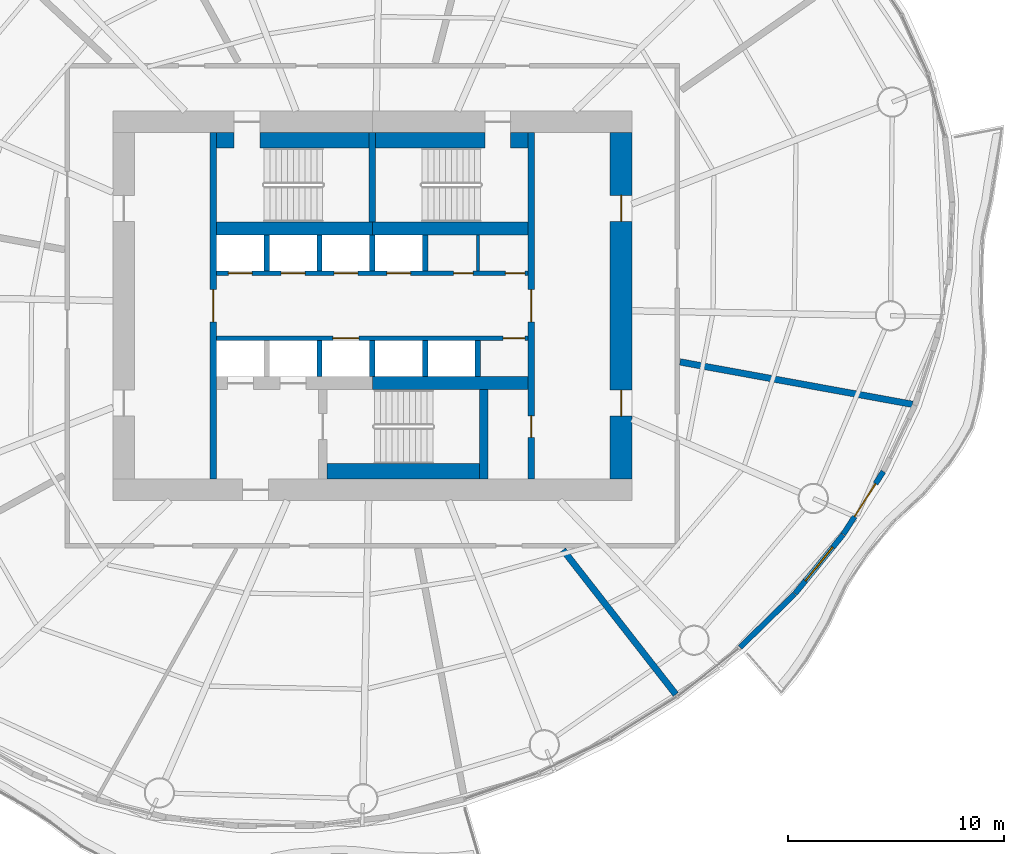
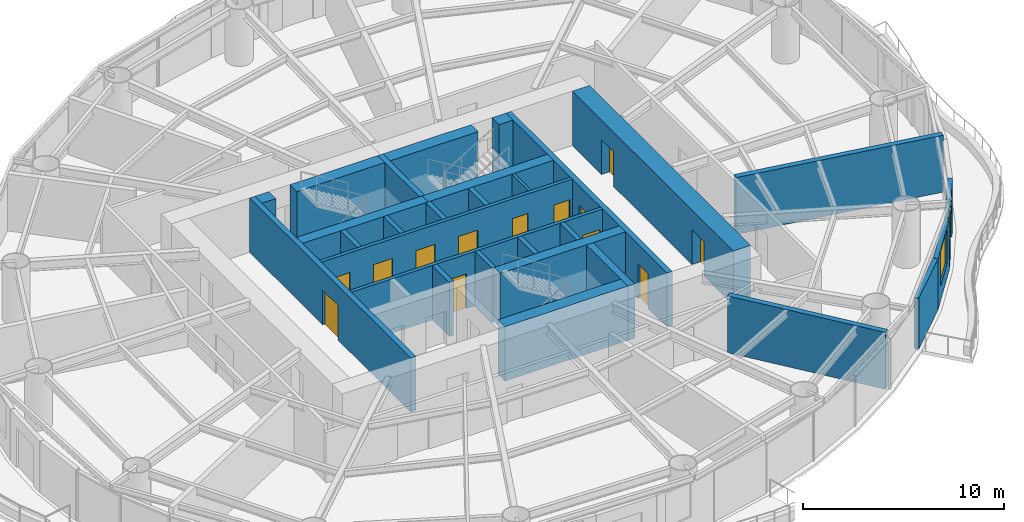
# One storey, part 9 of 14: 29 walls, 14 doors, 1 window, 15 openings.
"""IFC4 building model written with IfcOpenShell, lengths in metres."""

from ifc_helpers import new_model, si_unit, direction, frame, frame_2d, origin, place, context, subcontext, project, spatial, rectangle, extrude, material, layer, layer_set, type_object, element, fill, save


model = new_model("IFC4")

# Units and contexts
model_context = context("Model", 3, precision=1e-05, world=origin(), true_north=direction((0.0, 1.0)))
body_context = subcontext(model_context, "Body", "Model", "MODEL_VIEW")
ifc_project = project(units=[si_unit("LENGTHUNIT", "METRE"), si_unit("AREAUNIT", "SQUARE_METRE"), si_unit("VOLUMEUNIT", "CUBIC_METRE"), si_unit("PLANEANGLEUNIT", "RADIAN"), si_unit("MASSUNIT", "GRAM", prefix="KILO")], contexts=[model_context])

# Site, building, storey
site_placement = place(None, origin())
site = spatial("IfcSite", under=ifc_project, at=site_placement, CompositionType="ELEMENT")
building_placement = place(site_placement, origin())
building = spatial("IfcBuilding", under=site, at=building_placement, Name="Vermilion Reach Broadcast Tower", CompositionType="ELEMENT")
storey_placement = place(building_placement, frame((0.0, 0.0, 150.60009765625)))
storey = spatial("IfcBuildingStorey", under=building, at=storey_placement, Name="L35", CompositionType="ELEMENT", Elevation=150.60009765625)

# Wall, opening, door
ifc_material_1 = material(Name="Concrete C70", Category="concrete")
ifc_layer_1 = layer(ifc_material_1, 0.300048828125)
ifc_layer_set_1 = layer_set([ifc_layer_1], Name="Core inner wall 300 mm Concrete C70")
wall_type_1 = type_object("IfcWallType", Name="Core inner wall 300 mm Concrete C70", PredefinedType="SHEAR", material=ifc_layer_set_1)
wall_1_placement = place(storey_placement, frame((-13.35009765625, 8.0, 0.0), z_axis=(0.0, 0.0, 1.0), x_axis=(0.0, -1.0, 0.0)))
wall_1 = element("IfcWall", 1, at=wall_1_placement, inside=storey, type_object=wall_type_1, Name="L35 core wall ewW", PredefinedType="SHEAR", context=body_context, shape_type="SweptSolid", body=[
    extrude(rectangle(XDim=16.0, YDim=0.300048828125, at=frame_2d((8.0, 0.0))), origin(), (0.0, 0.0, 1.0), 3.2998046875),
])
opening_1_placement = place(wall_1_placement, frame((7.25, 0.0, 0.0)))
opening_1 = element("IfcOpeningElement", 2, at=opening_1_placement, cuts=wall_1, Name="Opening D04", PredefinedType="OPENING", context=body_context, shape_type="SweptSolid", body=[
    extrude(rectangle(XDim=1.5, YDim=2.10009765625, at=frame_2d((0.75, 1.050048828125))), frame((0.0, 0.159912109375, 0.0), z_axis=(0.0, -1.0, 0.0), x_axis=(1.0, 0.0, 0.0)), (0.0, 0.0, 1.0), 0.320068359375),
])
ifc_material_2 = material(Name="Painted steel fire door", Category="steel")
door_type_1 = type_object("IfcDoorType", Name="Lift lobby door 1500 x 2100", OperationType="DOUBLE_DOOR_SINGLE_SWING", PredefinedType="NOTDEFINED", material=ifc_material_2)
door_1_placement = place(opening_1_placement, origin())
door_1 = element("IfcDoor", 3, at=door_1_placement, inside=storey, type_object=door_type_1, Name="L35 band door BW", OperationType="DOUBLE_DOOR_SINGLE_SWING", OverallHeight=2.10009765625, OverallWidth=1.5, PredefinedType="NOTDEFINED", context=body_context, shape_type="SweptSolid", body=[
    extrude(rectangle(XDim=1.5, YDim=2.10009765625, at=frame_2d((0.75, 1.050048828125))), frame((0.0, 0.02490234375, 0.0), z_axis=(0.0, -1.0, 0.0), x_axis=(1.0, 0.0, 0.0)), (0.0, 0.0, 1.0), 0.050048828125),
])
fill(opening_1, door_1)

# Wall, openings, doors
wall_2_placement = place(storey_placement, frame((1.35009765625, -8.0, 0.0), z_axis=(0.0, 0.0, 1.0), x_axis=(0.0, 1.0, 0.0)))
wall_2 = element("IfcWall", 4, at=wall_2_placement, inside=storey, type_object=wall_type_1, Name="L35 core wall ewE", PredefinedType="SHEAR", context=body_context, shape_type="SweptSolid", body=[
    extrude(rectangle(XDim=16.0, YDim=0.300048828125, at=frame_2d((8.0, 0.0))), origin(), (0.0, 0.0, 1.0), 3.2998046875),
])
opening_2_placement = place(wall_2_placement, frame((1.909912109375, 0.0, 0.0)))
opening_2 = element("IfcOpeningElement", 5, at=opening_2_placement, cuts=wall_2, Name="Opening D05", PredefinedType="OPENING", context=body_context, shape_type="SweptSolid", body=[
    extrude(rectangle(XDim=1.0, YDim=2.10009765625, at=frame_2d((0.5, 1.050048828125))), frame((0.0, 0.159912109375, 0.0), z_axis=(0.0, -1.0, 0.0), x_axis=(1.0, 0.0, 0.0)), (0.0, 0.0, 1.0), 0.320068359375),
])
opening_3_placement = place(wall_2_placement, frame((7.25, 0.0, 0.0)))
opening_3 = element("IfcOpeningElement", 6, at=opening_3_placement, cuts=wall_2, Name="Opening D04", PredefinedType="OPENING", context=body_context, shape_type="SweptSolid", body=[
    extrude(rectangle(XDim=1.5, YDim=2.10009765625, at=frame_2d((0.75, 1.050048828125))), frame((0.0, 0.159912109375, 0.0), z_axis=(0.0, -1.0, 0.0), x_axis=(1.0, 0.0, 0.0)), (0.0, 0.0, 1.0), 0.320068359375),
])
door_2_placement = place(opening_3_placement, origin())
door_2 = element("IfcDoor", 7, at=door_2_placement, inside=storey, type_object=door_type_1, Name="L35 band door BE", OperationType="DOUBLE_DOOR_SINGLE_SWING", OverallHeight=2.10009765625, OverallWidth=1.5, PredefinedType="NOTDEFINED", context=body_context, shape_type="SweptSolid", body=[
    extrude(rectangle(XDim=1.5, YDim=2.10009765625, at=frame_2d((0.75, 1.050048828125))), frame((0.0, 0.02490234375, 0.0), z_axis=(0.0, -1.0, 0.0), x_axis=(1.0, 0.0, 0.0)), (0.0, 0.0, 1.0), 0.050048828125),
])
fill(opening_3, door_2)
ifc_material_3 = material(Name="Timber door", Category="wood")
door_type_2 = type_object("IfcDoorType", Name="Room door 1000 x 2100", OperationType="NOTDEFINED", PredefinedType="NOTDEFINED", material=ifc_material_3)
door_3_placement = place(opening_2_placement, origin())
door_3 = element("IfcDoor", 8, at=door_3_placement, inside=storey, type_object=door_type_2, Name="L35 door SER", OperationType="SINGLE_SWING_LEFT", OverallHeight=2.10009765625, OverallWidth=1.0, PredefinedType="NOTDEFINED", context=body_context, shape_type="SweptSolid", body=[
    extrude(rectangle(XDim=1.0, YDim=2.10009765625, at=frame_2d((0.5, 1.050048828125))), frame((0.0, 0.02490234375, 0.0), z_axis=(0.0, -1.0, 0.0), x_axis=(1.0, 0.0, 0.0)), (0.0, 0.0, 1.0), 0.050048828125),
])
fill(opening_2, door_3)

# Walls
wall_3_placement = place(storey_placement, frame((-6.0, 3.8798828125, 0.0), z_axis=(0.0, 0.0, 1.0), x_axis=(0.0, 1.0, 0.0)))
element("IfcWall", 9, at=wall_3_placement, inside=storey, type_object=wall_type_1, Name="L35 core wall wc", PredefinedType="SHEAR", context=body_context, shape_type="SweptSolid", body=[
    extrude(rectangle(XDim=4.1201171875, YDim=0.300048828125, at=frame_2d((2.06005859375, 0.0))), origin(), (0.0, 0.0, 1.0), 3.2998046875),
])
ifc_material_4 = material(Name="Concrete C70", Category="concrete")
ifc_layer_2 = layer(ifc_material_4, 0.39990234375)
ifc_layer_set_2 = layer_set([ifc_layer_2], Name="Core inner wall 400 mm Concrete C70")
wall_type_2 = type_object("IfcWallType", Name="Core inner wall 400 mm Concrete C70", PredefinedType="SHEAR", material=ifc_layer_set_2)
wall_4_placement = place(storey_placement, frame((-0.85009765625, -3.8798828125, 0.0), z_axis=(0.0, 0.0, 1.0), x_axis=(0.0, -1.0, 0.0)))
element("IfcWall", 10, at=wall_4_placement, inside=storey, type_object=wall_type_2, Name="L35 core wall wb", PredefinedType="SHEAR", context=body_context, shape_type="SweptSolid", body=[
    extrude(rectangle(XDim=4.1201171875, YDim=0.39990234375, at=frame_2d((2.06005859375, 0.0))), origin(), (0.0, 0.0, 1.0), 3.2998046875),
])
ifc_material_5 = material(Name="Concrete C70", Category="concrete")
ifc_layer_3 = layer(ifc_material_5, 0.60009765625)
ifc_layer_set_3 = layer_set([ifc_layer_3], Name="Core inner wall 600 mm Concrete C70")
wall_type_3 = type_object("IfcWallType", Name="Core inner wall 600 mm Concrete C70", PredefinedType="SHEAR", material=ifc_layer_set_3)
for number, where, z_axis, x_axis, name in (
    (11, (-13.199951171875, 3.580078125, 0.0), (0.0, 0.0, 1.0), (1.0, 0.0, 0.0), "L35 core wall winW"),
    (12, (-6.0, 3.580078125, 0.0), (0.0, 0.0, 1.0), (1.0, 0.0, 0.0), "L35 core wall winE"),
    (13, (-6.0, -3.580078125, 0.0), (0.0, 0.0, 1.0), (1.0, 0.0, 0.0), "L35 core wall wisE"),
):
    element("IfcWall", number, at=place(storey_placement, frame(where, z_axis=z_axis, x_axis=x_axis)), inside=storey, type_object=wall_type_3, Name=name, PredefinedType="SHEAR", context=body_context, shape_type="SweptSolid", body=[
        extrude(rectangle(XDim=7.199951171875, YDim=0.60009765625, at=frame_2d((3.60009765625, 0.0))), origin(), (0.0, 0.0, 1.0), 3.2998046875),
    ])

# Wall, openings, doors
ifc_material_6 = material(Name="Concrete C70", Category="concrete")
ifc_layer_4 = layer(ifc_material_6, 1.0)
ifc_layer_set_4 = layer_set([ifc_layer_4], Name="Core outer wall 1000 mm Concrete C70")
wall_type_4 = type_object("IfcWallType", Name="Core outer wall 1000 mm Concrete C70", PredefinedType="SHEAR", material=ifc_layer_set_4)
wall_5_placement = place(storey_placement, frame((5.5, -8.0, 0.0), z_axis=(0.0, 0.0, 1.0), x_axis=(0.0, 1.0, 0.0)))
wall_5 = element("IfcWall", 14, at=wall_5_placement, inside=storey, type_object=wall_type_4, Name="L35 core wall oe", PredefinedType="SHEAR", context=body_context, shape_type="SweptSolid", body=[
    extrude(rectangle(XDim=16.0, YDim=1.0, at=frame_2d((8.0, 0.0))), origin(), (0.0, 0.0, 1.0), 3.2998046875),
])
opening_4_placement = place(wall_5_placement, frame((2.89990234375, 0.0, 0.0)))
opening_4 = element("IfcOpeningElement", 15, at=opening_4_placement, cuts=wall_5, Name="Opening D03", PredefinedType="OPENING", context=body_context, shape_type="SweptSolid", body=[
    extrude(rectangle(XDim=1.199951171875, YDim=2.10009765625, at=frame_2d((0.60009765625, 1.050048828125))), frame((0.0, 0.510009765625, 0.0), z_axis=(0.0, -1.0, 0.0), x_axis=(1.0, 0.0, 0.0)), (0.0, 0.0, 1.0), 1.02001953125),
])
opening_5_placement = place(wall_5_placement, frame((11.89990234375, 0.0, 0.0)))
opening_5 = element("IfcOpeningElement", 16, at=opening_5_placement, cuts=wall_5, Name="Opening D03", PredefinedType="OPENING", context=body_context, shape_type="SweptSolid", body=[
    extrude(rectangle(XDim=1.199951171875, YDim=2.10009765625, at=frame_2d((0.60009765625, 1.050048828125))), frame((0.0, 0.510009765625, 0.0), z_axis=(0.0, -1.0, 0.0), x_axis=(1.0, 0.0, 0.0)), (0.0, 0.0, 1.0), 1.02001953125),
])
ifc_material_7 = material(Name="Painted steel fire door", Category="steel")
door_type_3 = type_object("IfcDoorType", Name="Core lobby door 1200 x 2100", OperationType="DOUBLE_DOOR_SINGLE_SWING", PredefinedType="NOTDEFINED", material=ifc_material_7)
door_4_placement = place(opening_4_placement, origin())
door_4 = element("IfcDoor", 17, at=door_4_placement, inside=storey, type_object=door_type_3, Name="L35 slot door E0", OperationType="DOUBLE_DOOR_SINGLE_SWING", OverallHeight=2.10009765625, OverallWidth=1.199951171875, PredefinedType="NOTDEFINED", context=body_context, shape_type="SweptSolid", body=[
    extrude(rectangle(XDim=1.199951171875, YDim=2.10009765625, at=frame_2d((0.60009765625, 1.050048828125))), frame((0.0, 0.02490234375, 0.0), z_axis=(0.0, -1.0, 0.0), x_axis=(1.0, 0.0, 0.0)), (0.0, 0.0, 1.0), 0.050048828125),
])
fill(opening_4, door_4)
door_5_placement = place(opening_5_placement, origin())
door_5 = element("IfcDoor", 18, at=door_5_placement, inside=storey, type_object=door_type_3, Name="L35 slot door E1", OperationType="DOUBLE_DOOR_SINGLE_SWING", OverallHeight=2.10009765625, OverallWidth=1.199951171875, PredefinedType="NOTDEFINED", context=body_context, shape_type="SweptSolid", body=[
    extrude(rectangle(XDim=1.199951171875, YDim=2.10009765625, at=frame_2d((0.60009765625, 1.050048828125))), frame((0.0, 0.02490234375, 0.0), z_axis=(0.0, -1.0, 0.0), x_axis=(1.0, 0.0, 0.0)), (0.0, 0.0, 1.0), 0.050048828125),
])
fill(opening_5, door_5)

# Wall
ifc_material_8 = material(Name="Masonry block", Category="masonry")
ifc_layer_5 = layer(ifc_material_8, 0.14990234375)
ifc_layer_set_5 = layer_set([ifc_layer_5], Name="Core partition wall 150 mm Masonry block")
wall_type_5 = type_object("IfcWallType", Name="Core partition wall 150 mm Masonry block", PredefinedType="PARTITIONING", material=ifc_layer_set_5)
wall_6_placement = place(storey_placement, frame((-1.11669921875, 1.60009765625, 0.0), z_axis=(0.0, 0.0, 1.0), x_axis=(0.0, 1.0, 0.0)))
element("IfcWall", 19, at=wall_6_placement, inside=storey, type_object=wall_type_5, Name="L35 core wall prN4883", PredefinedType="PARTITIONING", context=body_context, shape_type="SweptSolid", body=[
    extrude(rectangle(XDim=1.679931640625, YDim=0.14990234375, at=frame_2d((0.83984375, 0.0))), origin(), (0.0, 0.0, 1.0), 3.2998046875),
])

# Wall, openings, doors
ifc_material_9 = material(Name="Concrete C50", Category="concrete")
ifc_layer_6 = layer(ifc_material_9, 0.199951171875)
ifc_layer_set_6 = layer_set([ifc_layer_6], Name="Core shaft wall 200 mm Concrete C50")
wall_type_6 = type_object("IfcWallType", Name="Core shaft wall 200 mm Concrete C50", PredefinedType="SHEAR", material=ifc_layer_set_6)
wall_7_placement = place(storey_placement, frame((-13.199951171875, 1.5, 0.0), z_axis=(0.0, 0.0, 1.0), x_axis=(1.0, 0.0, 0.0)))
wall_7 = element("IfcWall", 20, at=wall_7_placement, inside=storey, type_object=wall_type_6, Name="L35 core wall fn", PredefinedType="SHEAR", context=body_context, shape_type="SweptSolid", body=[
    extrude(rectangle(XDim=14.39990234375, YDim=0.199951171875, at=frame_2d((7.199951171875, 0.0))), origin(), (0.0, 0.0, 1.0), 3.2998046875),
])
opening_6_placement = place(wall_7_placement, frame((0.5458984375, 0.0, 0.0)))
opening_6 = element("IfcOpeningElement", 21, at=opening_6_placement, cuts=wall_7, Name="Opening LD2", PredefinedType="OPENING", context=body_context, shape_type="SweptSolid", body=[
    extrude(rectangle(XDim=1.10009765625, YDim=2.10009765625, at=frame_2d((0.550048828125, 1.050048828125))), frame((0.0, 0.10986328125, 0.0), z_axis=(0.0, -1.0, 0.0), x_axis=(1.0, 0.0, 0.0)), (0.0, 0.0, 1.0), 0.219970703125),
])
opening_7_placement = place(wall_7_placement, frame((2.987548828125, 0.0, 0.0)))
opening_7 = element("IfcOpeningElement", 22, at=opening_7_placement, cuts=wall_7, Name="Opening LD2", PredefinedType="OPENING", context=body_context, shape_type="SweptSolid", body=[
    extrude(rectangle(XDim=1.10009765625, YDim=2.10009765625, at=frame_2d((0.550048828125, 1.050048828125))), frame((0.0, 0.10986328125, 0.0), z_axis=(0.0, -1.0, 0.0), x_axis=(1.0, 0.0, 0.0)), (0.0, 0.0, 1.0), 0.219970703125),
])
opening_8_placement = place(wall_7_placement, frame((5.42919921875, 0.0, 0.0)))
opening_8 = element("IfcOpeningElement", 23, at=opening_8_placement, cuts=wall_7, Name="Opening LD2", PredefinedType="OPENING", context=body_context, shape_type="SweptSolid", body=[
    extrude(rectangle(XDim=1.10009765625, YDim=2.10009765625, at=frame_2d((0.550048828125, 1.050048828125))), frame((0.0, 0.10986328125, 0.0), z_axis=(0.0, -1.0, 0.0), x_axis=(1.0, 0.0, 0.0)), (0.0, 0.0, 1.0), 0.219970703125),
])
opening_9_placement = place(wall_7_placement, frame((7.870849609375, 0.0, 0.0)))
opening_9 = element("IfcOpeningElement", 24, at=opening_9_placement, cuts=wall_7, Name="Opening LD2", PredefinedType="OPENING", context=body_context, shape_type="SweptSolid", body=[
    extrude(rectangle(XDim=1.10009765625, YDim=2.10009765625, at=frame_2d((0.550048828125, 1.050048828125))), frame((0.0, 0.10986328125, 0.0), z_axis=(0.0, -1.0, 0.0), x_axis=(1.0, 0.0, 0.0)), (0.0, 0.0, 1.0), 0.219970703125),
])
opening_10_placement = place(wall_7_placement, frame((10.958251953125, 0.0, 0.0)))
opening_10 = element("IfcOpeningElement", 25, at=opening_10_placement, cuts=wall_7, Name="Opening D06", PredefinedType="OPENING", context=body_context, shape_type="SweptSolid", body=[
    extrude(rectangle(XDim=0.89990234375, YDim=2.10009765625, at=frame_2d((0.449951171875, 1.050048828125))), frame((0.0, 0.10986328125, 0.0), z_axis=(0.0, -1.0, 0.0), x_axis=(1.0, 0.0, 0.0)), (0.0, 0.0, 1.0), 0.219970703125),
])
opening_11_placement = place(wall_7_placement, frame((13.35009765625, 0.0, 0.0)))
opening_11 = element("IfcOpeningElement", 26, at=opening_11_placement, cuts=wall_7, Name="Opening D06", PredefinedType="OPENING", context=body_context, shape_type="SweptSolid", body=[
    extrude(rectangle(XDim=0.89990234375, YDim=2.10009765625, at=frame_2d((0.449951171875, 1.050048828125))), frame((0.0, 0.10986328125, 0.0), z_axis=(0.0, -1.0, 0.0), x_axis=(1.0, 0.0, 0.0)), (0.0, 0.0, 1.0), 0.219970703125),
])
ifc_material_10 = material(Name="Stainless steel", Category="steel")
door_type_4 = type_object("IfcDoorType", Name="Landing door 1100 x 2100", OperationType="DOUBLE_DOOR_SLIDING", PredefinedType="NOTDEFINED", material=ifc_material_10)
door_6_placement = place(opening_6_placement, origin())
door_6 = element("IfcDoor", 27, at=door_6_placement, inside=storey, type_object=door_type_4, Name="L35 landing door LR1", OperationType="DOUBLE_DOOR_SLIDING", OverallHeight=2.10009765625, OverallWidth=1.10009765625, PredefinedType="NOTDEFINED", context=body_context, shape_type="SweptSolid", body=[
    extrude(rectangle(XDim=1.10009765625, YDim=2.10009765625, at=frame_2d((0.550048828125, 1.050048828125))), frame((0.0, 0.02490234375, 0.0), z_axis=(0.0, -1.0, 0.0), x_axis=(1.0, 0.0, 0.0)), (0.0, 0.0, 1.0), 0.050048828125),
])
fill(opening_6, door_6)
door_7_placement = place(opening_7_placement, origin())
door_7 = element("IfcDoor", 28, at=door_7_placement, inside=storey, type_object=door_type_4, Name="L35 landing door LR2", OperationType="DOUBLE_DOOR_SLIDING", OverallHeight=2.10009765625, OverallWidth=1.10009765625, PredefinedType="NOTDEFINED", context=body_context, shape_type="SweptSolid", body=[
    extrude(rectangle(XDim=1.10009765625, YDim=2.10009765625, at=frame_2d((0.550048828125, 1.050048828125))), frame((0.0, 0.02490234375, 0.0), z_axis=(0.0, -1.0, 0.0), x_axis=(1.0, 0.0, 0.0)), (0.0, 0.0, 1.0), 0.050048828125),
])
fill(opening_7, door_7)
door_8_placement = place(opening_8_placement, origin())
door_8 = element("IfcDoor", 29, at=door_8_placement, inside=storey, type_object=door_type_4, Name="L35 landing door LR3", OperationType="DOUBLE_DOOR_SLIDING", OverallHeight=2.10009765625, OverallWidth=1.10009765625, PredefinedType="NOTDEFINED", context=body_context, shape_type="SweptSolid", body=[
    extrude(rectangle(XDim=1.10009765625, YDim=2.10009765625, at=frame_2d((0.550048828125, 1.050048828125))), frame((0.0, 0.02490234375, 0.0), z_axis=(0.0, -1.0, 0.0), x_axis=(1.0, 0.0, 0.0)), (0.0, 0.0, 1.0), 0.050048828125),
])
fill(opening_8, door_8)
door_9_placement = place(opening_9_placement, origin())
door_9 = element("IfcDoor", 30, at=door_9_placement, inside=storey, type_object=door_type_4, Name="L35 landing door LR4", OperationType="DOUBLE_DOOR_SLIDING", OverallHeight=2.10009765625, OverallWidth=1.10009765625, PredefinedType="NOTDEFINED", context=body_context, shape_type="SweptSolid", body=[
    extrude(rectangle(XDim=1.10009765625, YDim=2.10009765625, at=frame_2d((0.550048828125, 1.050048828125))), frame((0.0, 0.02490234375, 0.0), z_axis=(0.0, -1.0, 0.0), x_axis=(1.0, 0.0, 0.0)), (0.0, 0.0, 1.0), 0.050048828125),
])
fill(opening_9, door_9)
ifc_material_11 = material(Name="Timber door", Category="wood")
door_type_5 = type_object("IfcDoorType", Name="WC door 900 x 2100", OperationType="NOTDEFINED", PredefinedType="NOTDEFINED", material=ifc_material_11)
door_10_placement = place(opening_10_placement, origin())
door_10 = element("IfcDoor", 31, at=door_10_placement, inside=storey, type_object=door_type_5, Name="L35 door Female WC", OperationType="SINGLE_SWING_RIGHT", OverallHeight=2.10009765625, OverallWidth=0.89990234375, PredefinedType="NOTDEFINED", context=body_context, shape_type="SweptSolid", body=[
    extrude(rectangle(XDim=0.89990234375, YDim=2.10009765625, at=frame_2d((0.449951171875, 1.050048828125))), frame((0.0, 0.02490234375, 0.0), z_axis=(0.0, -1.0, 0.0), x_axis=(1.0, 0.0, 0.0)), (0.0, 0.0, 1.0), 0.050048828125),
])
fill(opening_10, door_10)
door_11_placement = place(opening_11_placement, origin())
door_11 = element("IfcDoor", 32, at=door_11_placement, inside=storey, type_object=door_type_5, Name="L35 door Male WC", OperationType="SINGLE_SWING_RIGHT", OverallHeight=2.10009765625, OverallWidth=0.89990234375, PredefinedType="NOTDEFINED", context=body_context, shape_type="SweptSolid", body=[
    extrude(rectangle(XDim=0.89990234375, YDim=2.10009765625, at=frame_2d((0.449951171875, 1.050048828125))), frame((0.0, 0.02490234375, 0.0), z_axis=(0.0, -1.0, 0.0), x_axis=(1.0, 0.0, 0.0)), (0.0, 0.0, 1.0), 0.050048828125),
])
fill(opening_11, door_11)

wall_8_placement = place(storey_placement, frame((1.199951171875, -1.5, 0.0), z_axis=(0.0, 0.0, 1.0), x_axis=(-1.0, 0.0, 0.0)))
wall_8 = element("IfcWall", 33, at=wall_8_placement, inside=storey, type_object=wall_type_6, Name="L35 core wall fs", PredefinedType="SHEAR", context=body_context, shape_type="SweptSolid", body=[
    extrude(rectangle(XDim=14.39990234375, YDim=0.199951171875, at=frame_2d((7.199951171875, 0.0))), origin(), (0.0, 0.0, 1.0), 3.2998046875),
])
opening_12_placement = place(wall_8_placement, frame((7.82080078125, 0.0, 0.0)))
opening_12 = element("IfcOpeningElement", 34, at=opening_12_placement, cuts=wall_8, Name="Opening LD1", PredefinedType="OPENING", context=body_context, shape_type="SweptSolid", body=[
    extrude(rectangle(XDim=1.199951171875, YDim=2.10009765625, at=frame_2d((0.60009765625, 1.050048828125))), frame((0.0, 0.10986328125, 0.0), z_axis=(0.0, -1.0, 0.0), x_axis=(1.0, 0.0, 0.0)), (0.0, 0.0, 1.0), 0.219970703125),
])
opening_13_placement = place(wall_8_placement, frame((0.14990234375, 0.0, 0.0)))
opening_13 = element("IfcOpeningElement", 35, at=opening_13_placement, cuts=wall_8, Name="Opening D07", PredefinedType="OPENING", context=body_context, shape_type="SweptSolid", body=[
    extrude(rectangle(XDim=1.0, YDim=2.10009765625, at=frame_2d((0.5, 1.050048828125))), frame((0.0, 0.10986328125, 0.0), z_axis=(0.0, -1.0, 0.0), x_axis=(1.0, 0.0, 0.0)), (0.0, 0.0, 1.0), 0.219970703125),
])
ifc_material_12 = material(Name="Timber door", Category="wood")
door_type_6 = type_object("IfcDoorType", Name="Accessible WC door 1000 x 2100", OperationType="NOTDEFINED", PredefinedType="NOTDEFINED", material=ifc_material_12)
door_12_placement = place(opening_13_placement, origin())
door_12 = element("IfcDoor", 36, at=door_12_placement, inside=storey, type_object=door_type_6, Name="L35 door Accessible WC", OperationType="SINGLE_SWING_LEFT", OverallHeight=2.10009765625, OverallWidth=1.0, PredefinedType="NOTDEFINED", context=body_context, shape_type="SweptSolid", body=[
    extrude(rectangle(XDim=1.0, YDim=2.10009765625, at=frame_2d((0.5, 1.050048828125))), frame((0.0, 0.02490234375, 0.0), z_axis=(0.0, -1.0, 0.0), x_axis=(1.0, 0.0, 0.0)), (0.0, 0.0, 1.0), 0.050048828125),
])
fill(opening_13, door_12)
ifc_material_13 = material(Name="Stainless steel", Category="steel")
door_type_7 = type_object("IfcDoorType", Name="Landing door 1200 x 2100", OperationType="DOUBLE_DOOR_SLIDING", PredefinedType="NOTDEFINED", material=ifc_material_13)
door_13_placement = place(opening_12_placement, origin())
door_13 = element("IfcDoor", 37, at=door_13_placement, inside=storey, type_object=door_type_7, Name="L35 landing door SV1", OperationType="DOUBLE_DOOR_SLIDING", OverallHeight=2.10009765625, OverallWidth=1.199951171875, PredefinedType="NOTDEFINED", context=body_context, shape_type="SweptSolid", body=[
    extrude(rectangle(XDim=1.199951171875, YDim=2.10009765625, at=frame_2d((0.60009765625, 1.050048828125))), frame((0.0, 0.02490234375, 0.0), z_axis=(0.0, -1.0, 0.0), x_axis=(1.0, 0.0, 0.0)), (0.0, 0.0, 1.0), 0.050048828125),
])
fill(opening_12, door_13)

# Walls
ifc_material_14 = material(Name="Concrete C50", Category="concrete")
ifc_layer_7 = layer(ifc_material_14, 0.25)
ifc_layer_set_7 = layer_set([ifc_layer_7], Name="Core shaft wall 250 mm Concrete C50")
wall_type_7 = type_object("IfcWallType", Name="Core shaft wall 250 mm Concrete C50", PredefinedType="SHEAR", material=ifc_layer_set_7)
for number, where, z_axis, x_axis, name in (
    (38, (-10.88330078125, 1.60009765625, 0.0), (0.0, 0.0, 1.0), (0.0, 1.0, 0.0), "L35 core wall psN0"),
    (39, (-8.441650390625, 1.60009765625, 0.0), (0.0, 0.0, 1.0), (0.0, 1.0, 0.0), "L35 core wall psN1"),
    (40, (-6.0, 1.60009765625, 0.0), (0.0, 0.0, 1.0), (0.0, 1.0, 0.0), "L35 core wall psN2"),
    (41, (-3.558349609375, 1.60009765625, 0.0), (0.0, 0.0, 1.0), (0.0, 1.0, 0.0), "L35 core wall psN3"),
    (42, (-8.441650390625, -1.60009765625, 0.0), (0.0, 0.0, 1.0), (0.0, -1.0, 0.0), "L35 core wall psS1"),
    (43, (-6.0, -1.60009765625, 0.0), (0.0, 0.0, 1.0), (0.0, -1.0, 0.0), "L35 core wall psS2"),
    (44, (-3.558349609375, -1.60009765625, 0.0), (0.0, 0.0, 1.0), (0.0, -1.0, 0.0), "L35 core wall psS3"),
    (45, (-1.11669921875, -1.60009765625, 0.0), (0.0, 0.0, 1.0), (0.0, -1.0, 0.0), "L35 core wall psS4"),
):
    element("IfcWall", number, at=place(storey_placement, frame(where, z_axis=z_axis, x_axis=x_axis)), inside=storey, type_object=wall_type_7, Name=name, PredefinedType="SHEAR", context=body_context, shape_type="SweptSolid", body=[
        extrude(rectangle(XDim=1.679931640625, YDim=0.25, at=frame_2d((0.83984375, 0.0))), origin(), (0.0, 0.0, 1.0), 3.2998046875),
    ])
ifc_material_15 = material(Name="Concrete C70", Category="concrete")
ifc_layer_8 = layer(ifc_material_15, 0.699951171875)
ifc_layer_set_8 = layer_set([ifc_layer_8], Name="Core stair wall 700 mm Concrete C70")
wall_type_8 = type_object("IfcWallType", Name="Core stair wall 700 mm Concrete C70", PredefinedType="SHEAR", material=ifc_layer_set_8)
wall_9_placement = place(storey_placement, frame((-13.199951171875, 7.64990234375, 0.0), z_axis=(0.0, 0.0, 1.0), x_axis=(1.0, 0.0, 0.0)))
element("IfcWall", 46, at=wall_9_placement, inside=storey, type_object=wall_type_8, Name="L35 core wall l1a", PredefinedType="SHEAR", context=body_context, shape_type="SweptSolid", body=[
    extrude(rectangle(XDim=0.800048828125, YDim=0.699951171875, at=frame_2d((0.39990234375, 0.0))), origin(), (0.0, 0.0, 1.0), 3.2998046875),
])
for number, where, z_axis, x_axis, name in (
    (47, (-11.199951171875, 7.64990234375, 0.0), (0.0, 0.0, 1.0), (1.0, 0.0, 0.0), "L35 core wall l1b"),
    (48, (-5.85009765625, 7.64990234375, 0.0), (0.0, 0.0, 1.0), (1.0, 0.0, 0.0), "L35 core wall l2a"),
):
    element("IfcWall", number, at=place(storey_placement, frame(where, z_axis=z_axis, x_axis=x_axis)), inside=storey, type_object=wall_type_8, Name=name, PredefinedType="SHEAR", context=body_context, shape_type="SweptSolid", body=[
        extrude(rectangle(XDim=5.050048828125, YDim=0.699951171875, at=frame_2d((2.52490234375, 0.0))), origin(), (0.0, 0.0, 1.0), 3.2998046875),
    ])
wall_10_placement = place(storey_placement, frame((0.39990234375, 7.64990234375, 0.0), z_axis=(0.0, 0.0, 1.0), x_axis=(1.0, 0.0, 0.0)))
element("IfcWall", 49, at=wall_10_placement, inside=storey, type_object=wall_type_8, Name="L35 core wall l2b", PredefinedType="SHEAR", context=body_context, shape_type="SweptSolid", body=[
    extrude(rectangle(XDim=0.800048828125, YDim=0.699951171875, at=frame_2d((0.39990234375, 0.0))), origin(), (0.0, 0.0, 1.0), 3.2998046875),
])
wall_11_placement = place(storey_placement, frame((-8.10009765625, -7.64990234375, 0.0), z_axis=(0.0, 0.0, 1.0), x_axis=(1.0, 0.0, 0.0)))
element("IfcWall", 50, at=wall_11_placement, inside=storey, type_object=wall_type_8, Name="L35 core wall l3", PredefinedType="SHEAR", context=body_context, shape_type="SweptSolid", body=[
    extrude(rectangle(XDim=7.050048828125, YDim=0.699951171875, at=frame_2d((3.52490234375, 0.0))), origin(), (0.0, 0.0, 1.0), 3.2998046875),
])
ifc_material_16 = material(Name="Double-leaf plasterboard on isolated steel stud", Category="steel")
ifc_layer_9 = layer(ifc_material_16, 0.300048828125)
ifc_layer_set_9 = layer_set([ifc_layer_9], Name="Partition 300 acoustic double leaf")
wall_type_9 = type_object("IfcWallType", Name="Partition 300 acoustic double leaf", PredefinedType="PARTITIONING", material=ifc_layer_set_9)
wall_12_placement = place(storey_placement, frame((8.03076171875, -17.969970703125, 0.0), z_axis=(0.0, 0.0, 1.0), x_axis=(-0.615415856826, 0.788202590181, 0.0)))
element("IfcWall", 51, at=wall_12_placement, inside=storey, type_object=wall_type_9, Name="Partition 35.09", PredefinedType="PARTITIONING", context=body_context, shape_type="SweptSolid", body=[
    extrude(rectangle(XDim=8.47216796875, YDim=0.300048828125, at=frame_2d((4.236083984375, 0.0))), origin(), (0.0, 0.0, 1.0), 3.449951171875),
])
wall_13_placement = place(storey_placement, frame((18.971923828125, -4.55810546875, 0.0), z_axis=(0.0, 0.0, 1.0), x_axis=(-0.983747727231, 0.179556144892, 0.0)))
element("IfcWall", 52, at=wall_13_placement, inside=storey, type_object=wall_type_9, Name="Partition 35.10", PredefinedType="PARTITIONING", context=body_context, shape_type="SweptSolid", body=[
    extrude(rectangle(XDim=10.92236328125, YDim=0.300048828125, at=frame_2d((5.461181640625, 0.0))), origin(), (0.0, 0.0, 1.0), 3.449951171875),
])
ifc_material_17 = material(Name="Terracotta rainscreen cladding", Category="masonry")
ifc_layer_10 = layer(ifc_material_17, 0.25)
ifc_layer_set_10 = layer_set([ifc_layer_10], Name="Terracotta rainscreen wall 250")
wall_type_10 = type_object("IfcWallType", Name="Terracotta rainscreen wall 250", PredefinedType="SOLIDWALL", material=ifc_layer_set_10)
wall_14_placement = place(storey_placement, frame((11.004638671875, -15.79248046875, 0.0), z_axis=(0.0, 0.0, 1.0), x_axis=(0.715154193922, 0.698966722324, 0.0)))
element("IfcWall", 53, at=wall_14_placement, inside=storey, type_object=wall_type_10, Name="External wall L35 38", PredefinedType="SOLIDWALL", context=body_context, shape_type="SweptSolid", body=[
    extrude(rectangle(XDim=3.529296875, YDim=0.25, at=frame_2d((1.7646484375, 0.0))), origin(), (0.0, 0.0, 1.0), 3.099853515625),
])

# Wall, opening, window
wall_15_placement = place(storey_placement, frame((13.54345703125, -13.3095703125, 0.0), z_axis=(0.0, 0.0, 1.0), x_axis=(0.631962066668, 0.774999320188, 0.0)))
wall_15 = element("IfcWall", 54, at=wall_15_placement, inside=storey, type_object=wall_type_10, Name="External wall L35 39", PredefinedType="SOLIDWALL", context=body_context, shape_type="SweptSolid", body=[
    extrude(rectangle(XDim=3.514404296875, YDim=0.25, at=frame_2d((1.75732421875, 0.0))), origin(), (0.0, 0.0, 1.0), 3.099853515625),
])
opening_14_placement = place(wall_15_placement, frame((0.757080078125, 0.0, 0.89990234375)))
opening_14 = element("IfcOpeningElement", 55, at=opening_14_placement, cuts=wall_15, Name="Opening W03", PredefinedType="OPENING", context=body_context, shape_type="SweptSolid", body=[
    extrude(rectangle(XDim=2.0, YDim=2.10009765625, at=frame_2d((1.0, 1.050048828125))), frame((0.0, 0.135009765625, 0.0), z_axis=(0.0, -1.0, 0.0), x_axis=(1.0, 0.0, 0.0)), (0.0, 0.0, 1.0), 0.27001953125),
])
ifc_material_18 = material(Name="Low-e laminated clear glass in aluminium frame", Category="aluminium")
window_type = type_object("IfcWindowType", Name="Punched window 2000 x 2100 sill 900", PartitioningType="SINGLE_PANEL", PredefinedType="WINDOW", material=ifc_material_18)
window_placement = place(opening_14_placement, origin())
window = element("IfcWindow", 56, at=window_placement, inside=storey, type_object=window_type, Name="Window L35 39", OverallHeight=2.10009765625, OverallWidth=2.0, PartitioningType="SINGLE_PANEL", PredefinedType="WINDOW", context=body_context, shape_type="SweptSolid", body=[
    extrude(rectangle(XDim=2.0, YDim=2.10009765625, at=frame_2d((1.0, 1.050048828125))), frame((0.0, 0.030029296875, 0.0), z_axis=(0.0, -1.0, 0.0), x_axis=(1.0, 0.0, 0.0)), (0.0, 0.0, 1.0), 0.06005859375),
])
fill(opening_14, window)

# Wall, opening, door
wall_16_placement = place(storey_placement, frame((15.77783203125, -10.567626953125, 0.0), z_axis=(0.0, 0.0, 1.0), x_axis=(0.537256497047, 0.843418909191, 0.0)))
wall_16 = element("IfcWall", 57, at=wall_16_placement, inside=storey, type_object=wall_type_10, Name="External wall L35 40", PredefinedType="SOLIDWALL", context=body_context, shape_type="SweptSolid", body=[
    extrude(rectangle(XDim=3.44091796875, YDim=0.25, at=frame_2d((1.720458984375, 0.0))), origin(), (0.0, 0.0, 1.0), 3.099853515625),
])
opening_15_placement = place(wall_16_placement, frame((0.969970703125, 0.0, 0.0)))
opening_15 = element("IfcOpeningElement", 58, at=opening_15_placement, cuts=wall_16, Name="Opening D70", PredefinedType="OPENING", context=body_context, shape_type="SweptSolid", body=[
    extrude(rectangle(XDim=1.800048828125, YDim=2.39990234375, at=frame_2d((0.89990234375, 1.199951171875))), frame((0.0, 0.135009765625, 0.0), z_axis=(0.0, -1.0, 0.0), x_axis=(1.0, 0.0, 0.0)), (0.0, 0.0, 1.0), 0.27001953125),
])
ifc_material_19 = material(Name="Low-e laminated clear glass in aluminium frame", Category="aluminium")
door_type_8 = type_object("IfcDoorType", Name="Balcony sliding door 1800 x 2400", OperationType="DOUBLE_DOOR_SLIDING", PredefinedType="DOOR", material=ifc_material_19)
door_14_placement = place(opening_15_placement, origin())
door_14 = element("IfcDoor", 59, at=door_14_placement, inside=storey, type_object=door_type_8, Name="Balcony door L35 run 10", OperationType="DOUBLE_DOOR_SLIDING", OverallHeight=2.39990234375, OverallWidth=1.800048828125, PredefinedType="DOOR", context=body_context, shape_type="SweptSolid", body=[
    extrude(rectangle(XDim=1.800048828125, YDim=2.39990234375, at=frame_2d((0.89990234375, 1.199951171875))), frame((0.0, 0.02490234375, 0.0), z_axis=(0.0, -1.0, 0.0), x_axis=(1.0, 0.0, 0.0)), (0.0, 0.0, 1.0), 0.050048828125),
])
fill(opening_15, door_14)

save(model, "model.ifc")
